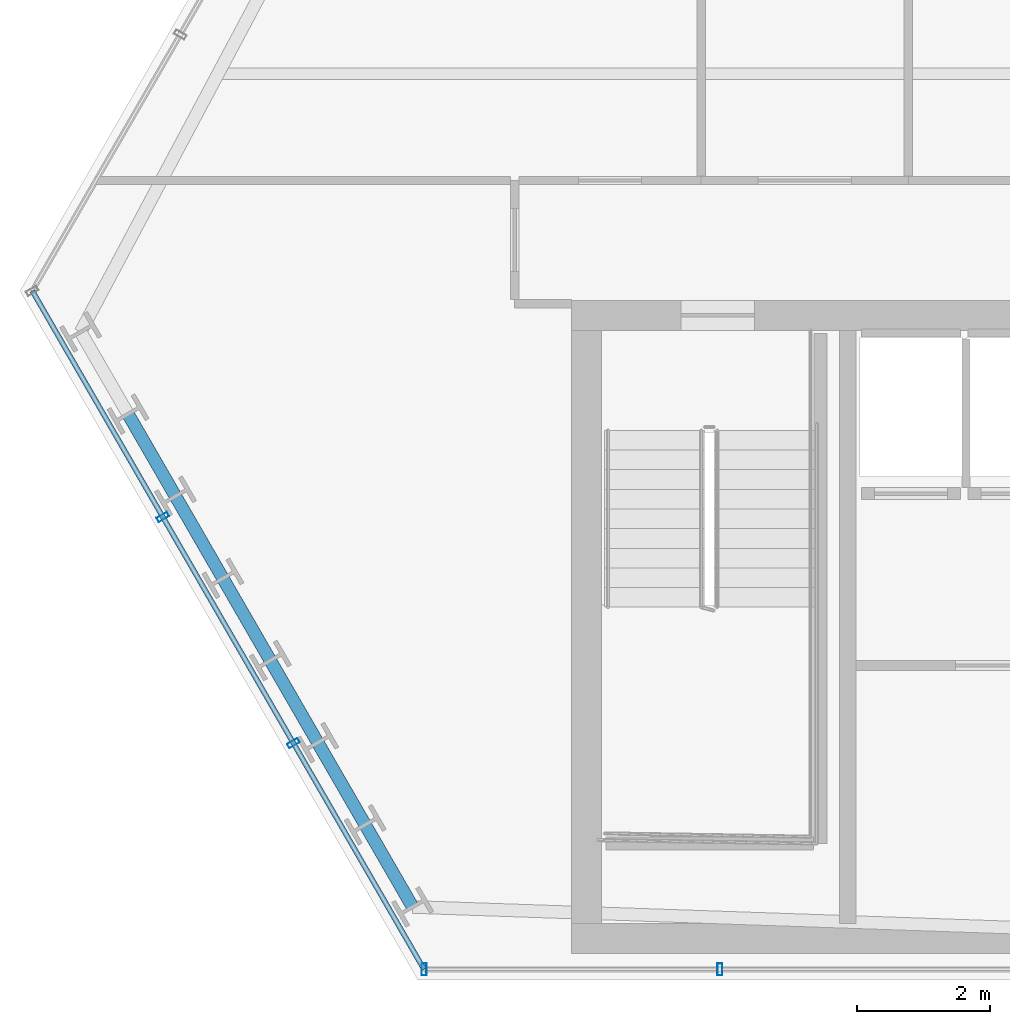
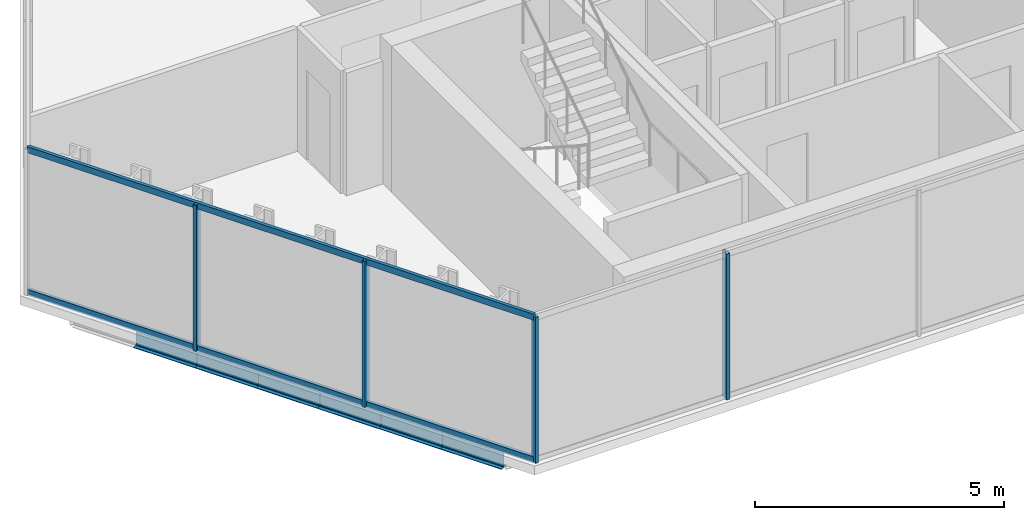
# One storey, part 2 of 31: 6 beams, 6 members, 2 elements without a shape of their own.
"""IFC4 building model written with IfcOpenShell, lengths in metres."""

from ifc_helpers import new_model, si_unit, direction, frame, origin, origin_2d, place, context, subcontext, project, spatial, hollow_rectangle, i_section, extrude, material, layer, layer_set, material_profile, profile_set, type_object, element, aggregate, save


model = new_model("IFC4")

# Units and contexts
model_context = context("Model", 3, precision=1e-05, world=origin(), true_north=direction((0.0, 1.0)))
body_context = subcontext(model_context, "Body", "Model", "MODEL_VIEW")
ifc_project = project(units=[si_unit("LENGTHUNIT", "METRE"), si_unit("AREAUNIT", "SQUARE_METRE"), si_unit("VOLUMEUNIT", "CUBIC_METRE"), si_unit("PLANEANGLEUNIT", "RADIAN"), si_unit("MASSUNIT", "GRAM", prefix="KILO")], contexts=[model_context])

# Site, building, storey
site_placement = place(None, origin())
site = spatial("IfcSite", under=ifc_project, at=site_placement, CompositionType="ELEMENT")
building_placement = place(site_placement, origin())
building = spatial("IfcBuilding", under=site, at=building_placement, Name="Ndaravel Arena Tower", CompositionType="ELEMENT")
storey_placement = place(building_placement, frame((0.0, 0.0, 142.199951171875)))
storey = spatial("IfcBuildingStorey", under=building, at=storey_placement, Name="L33", CompositionType="ELEMENT", Elevation=142.199951171875)

# Beams
ifc_material_1 = material(Name="Steel S355", Category="steel")
ifc_material_profile_1 = material_profile(ifc_material_1, i_section(OverallWidth=0.18994140625, OverallDepth=0.449951171875, WebThickness=0.009521484375, FlangeThickness=0.0146484375, FilletRadius=0.02099609375, at=origin_2d()), Name="IPE 450")
ifc_profile_set_1 = profile_set([ifc_material_profile_1], Name="Steel S355")
beam_type = type_object("IfcBeamType", Name="BM-SPAN-IPE450", PredefinedType="SPANDREL", material=ifc_profile_set_1)
for number, where, z_axis, x_axis, name in (
    (1, (19.797607421875, 13.493896484375, -0.445068359375), (0.500049018998, -0.865997100803, 0.0), (0.865997100803, 0.500049018998, 0.0), "L33 Perimeter Spandrel Beam SP-21"),
    (2, (20.509521484375, 12.260986328125, -0.445068359375), (0.499920397431, -0.866071357471, 0.0), (0.866071357471, 0.499920397431, 0.0), "L33 Perimeter Spandrel Beam SP-22"),
    (3, (21.22119140625, 11.028076171875, -0.445068359375), (0.500049018998, -0.865997100803, 0.0), (0.865997100803, 0.500049018998, 0.0), "L33 Perimeter Spandrel Beam SP-23"),
    (4, (21.93310546875, 9.795166015625, -0.445068359375), (0.500049018998, -0.865997100803, 0.0), (0.865997100803, 0.500049018998, 0.0), "L33 Perimeter Spandrel Beam SP-24"),
    (5, (22.64501953125, 8.562255859375, -0.445068359375), (0.499920397431, -0.866071357471, 0.0), (0.866071357471, 0.499920397431, 0.0), "L33 Perimeter Spandrel Beam SP-25"),
    (6, (23.356689453125, 7.329345703125, -0.445068359375), (0.500049018998, -0.865997100803, 0.0), (0.865997100803, 0.500049018998, 0.0), "L33 Perimeter Spandrel Beam SP-26"),
):
    element("IfcBeam", number, at=place(storey_placement, frame(where, z_axis=z_axis, x_axis=x_axis)), inside=storey, type_object=beam_type, Name=name, PredefinedType="SPANDREL", context=body_context, shape_type="SweptSolid", body=[
        extrude(i_section(OverallWidth=0.18994140625, OverallDepth=0.449951171875, WebThickness=0.009521484375, FlangeThickness=0.0146484375, FilletRadius=0.02099609375, at=origin_2d()), origin(), (0.0, 0.0, 1.0), 1.423583984375),
    ])

# Curtain wall, members
ifc_material_2 = material(Name="Aluminium", Category="aluminium")
ifc_layer_1 = layer(ifc_material_2, 0.179931640625)
ifc_layer_set_1 = layer_set([ifc_layer_1], Name="Aluminium")
curtain_wall_type_1 = type_object("IfcCurtainWallType", Name="CW-SYS-03", PredefinedType="NOTDEFINED", material=ifc_layer_set_1)
curtain_wall_1_placement = place(storey_placement, origin())
curtain_wall_1 = element("IfcCurtainWall", 7, at=curtain_wall_1_placement, inside=storey, type_object=curtain_wall_type_1, Name="L33 Faceted Crystal Curtain Wall CW-L33-E01", PredefinedType="NOTDEFINED")
ifc_material_3 = material(Name="Aluminium", Category="aluminium")
ifc_material_profile_2 = material_profile(ifc_material_3, hollow_rectangle(XDim=0.074951171875, YDim=0.179931640625, WallThickness=0.00390625, at=origin_2d()), Name="CW MULLION 75x180x4")
ifc_profile_set_2 = profile_set([ifc_material_profile_2], Name="Aluminium")
member_type_1 = type_object("IfcMemberType", Name="MEM-CW-MUL180", PredefinedType="MULLION", material=ifc_profile_set_2)
member_1_placement = place(storey_placement, frame((24.23974609375, 5.159912109375, 0.0), z_axis=(0.0, 0.0, 1.0), x_axis=(1.0, 0.0, 0.0)))
member_1 = element("IfcMember", 8, at=member_1_placement, type_object=member_type_1, Name="CW-L33-E01 Mullion 00", PredefinedType="MULLION", context=body_context, shape_type="SweptSolid", body=[
    extrude(hollow_rectangle(XDim=0.074951171875, YDim=0.179931640625, WallThickness=0.00390625, at=origin_2d()), origin(), (0.0, 0.0, 1.0), 3.580078125),
])
member_2_placement = place(storey_placement, frame((28.6796875, 5.159912109375, 0.0), z_axis=(0.0, 0.0, 1.0), x_axis=(1.0, 0.0, 0.0)))
member_2 = element("IfcMember", 9, at=member_2_placement, type_object=member_type_1, Name="CW-L33-E01 Mullion 01", PredefinedType="MULLION", context=body_context, shape_type="SweptSolid", body=[
    extrude(hollow_rectangle(XDim=0.074951171875, YDim=0.179931640625, WallThickness=0.00390625, at=origin_2d()), origin(), (0.0, 0.0, 1.0), 3.580078125),
])
aggregate(curtain_wall_1, [member_1, member_2])

ifc_material_4 = material(Name="Aluminium", Category="aluminium")
ifc_layer_2 = layer(ifc_material_4, 0.179931640625)
ifc_layer_set_2 = layer_set([ifc_layer_2], Name="Aluminium")
curtain_wall_type_2 = type_object("IfcCurtainWallType", Name="CW-SYS-02", PredefinedType="NOTDEFINED", material=ifc_layer_set_2)
curtain_wall_2_placement = place(storey_placement, origin())
curtain_wall_2 = element("IfcCurtainWall", 10, at=curtain_wall_2_placement, inside=storey, type_object=curtain_wall_type_2, Name="L33 Faceted Crystal Curtain Wall CW-L33-E06", PredefinedType="NOTDEFINED")
member_3_placement = place(storey_placement, frame((20.3203125, 11.94873046875, 0.0), z_axis=(0.0, 0.0, 1.0), x_axis=(0.5, -0.866025403784, 0.0)))
member_3 = element("IfcMember", 11, at=member_3_placement, type_object=member_type_1, Name="CW-L33-E06 Mullion 01", PredefinedType="MULLION", context=body_context, shape_type="SweptSolid", body=[
    extrude(hollow_rectangle(XDim=0.074951171875, YDim=0.179931640625, WallThickness=0.00390625, at=origin_2d()), origin(), (0.0, 0.0, 1.0), 3.580078125),
])
member_4_placement = place(storey_placement, frame((22.280029296875, 8.554443359375, 0.0), z_axis=(0.0, 0.0, 1.0), x_axis=(0.5, -0.866025403784, 0.0)))
member_4 = element("IfcMember", 12, at=member_4_placement, type_object=member_type_1, Name="CW-L33-E06 Mullion 02", PredefinedType="MULLION", context=body_context, shape_type="SweptSolid", body=[
    extrude(hollow_rectangle(XDim=0.074951171875, YDim=0.179931640625, WallThickness=0.00390625, at=origin_2d()), origin(), (0.0, 0.0, 1.0), 3.580078125),
])
ifc_material_5 = material(Name="Aluminium", Category="aluminium")
ifc_material_profile_3 = material_profile(ifc_material_5, hollow_rectangle(XDim=0.074951171875, YDim=0.14990234375, WallThickness=0.00390625, at=origin_2d()), Name="CW TRANSOM 75x150x4")
ifc_profile_set_3 = profile_set([ifc_material_profile_3], Name="Aluminium")
member_type_2 = type_object("IfcMemberType", Name="MEM-CW-TRN150", PredefinedType="USERDEFINED", material=ifc_profile_set_3)
member_5_placement = place(storey_placement, frame((18.360595703125, 15.34326171875, 0.0400390625), z_axis=(0.499986653496, -0.866033109255, 0.0), x_axis=(0.866033109255, 0.499986653496, 0.0)))
member_5 = element("IfcMember", 13, at=member_5_placement, type_object=member_type_2, Name="CW-L33-E06 Transom 01", ObjectType="TRANSOM", PredefinedType="USERDEFINED", context=body_context, shape_type="SweptSolid", body=[
    extrude(hollow_rectangle(XDim=0.074951171875, YDim=0.14990234375, WallThickness=0.00390625, at=origin_2d()), origin(), (0.0, 0.0, 1.0), 11.758544921875),
])
member_6_placement = place(storey_placement, frame((18.360595703125, 15.34326171875, 3.5400390625), z_axis=(0.499986653496, -0.866033109255, 0.0), x_axis=(0.866033109255, 0.499986653496, 0.0)))
member_6 = element("IfcMember", 14, at=member_6_placement, type_object=member_type_2, Name="CW-L33-E06 Transom 02", ObjectType="TRANSOM", PredefinedType="USERDEFINED", context=body_context, shape_type="SweptSolid", body=[
    extrude(hollow_rectangle(XDim=0.074951171875, YDim=0.14990234375, WallThickness=0.00390625, at=origin_2d()), origin(), (0.0, 0.0, 1.0), 11.758544921875),
])
aggregate(curtain_wall_2, [member_3, member_4, member_5, member_6])

save(model, "model.ifc")
